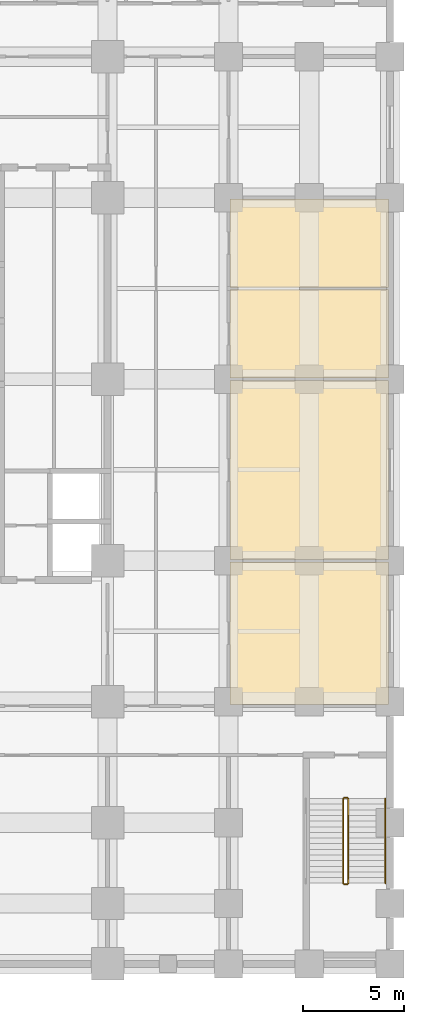
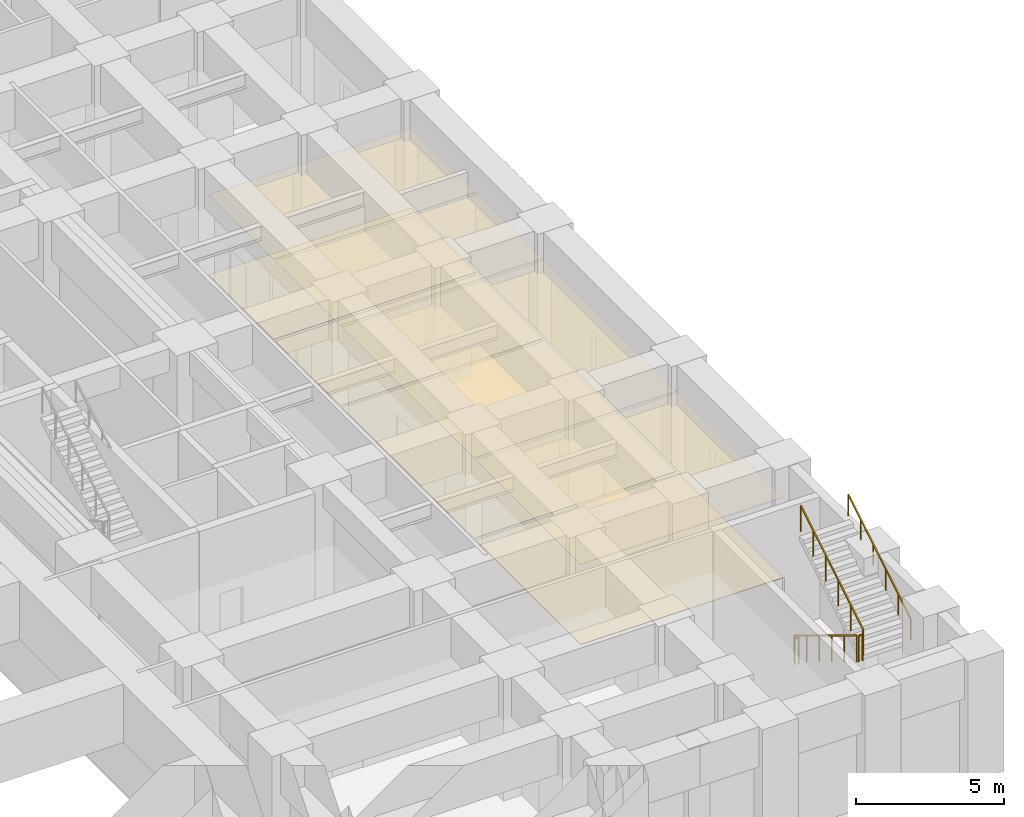
# One storey, part 23 of 24: 8 coverings, 5 railings.
"""IFC4 building model written with IfcOpenShell, lengths in metres."""

from ifc_helpers import new_model, si_unit, direction, frame, origin, origin_2d, place, context, subcontext, project, spatial, polyline, rectangle, outline, extrude, material, layer, layer_set, type_object, element, save


model = new_model("IFC4")

# Units and contexts
model_context = context("Model", 3, precision=1e-05, world=origin(), true_north=direction((0.0, 1.0)))
body_context = subcontext(model_context, "Body", "Model", "MODEL_VIEW")
ifc_project = project(units=[si_unit("LENGTHUNIT", "METRE"), si_unit("AREAUNIT", "SQUARE_METRE"), si_unit("VOLUMEUNIT", "CUBIC_METRE"), si_unit("PLANEANGLEUNIT", "RADIAN"), si_unit("MASSUNIT", "GRAM", prefix="KILO")], contexts=[model_context])

# Site, building, storey
site_placement = place(None, origin())
site = spatial("IfcSite", under=ifc_project, at=site_placement, CompositionType="ELEMENT")
building_placement = place(site_placement, origin())
building = spatial("IfcBuilding", under=site, at=building_placement, Name="Zulmaris Gate Convention Tower", CompositionType="ELEMENT")
storey_placement = place(building_placement, frame((0.0, 0.0, 16.320068359375)))
storey = spatial("IfcBuildingStorey", under=building, at=storey_placement, Name="L03", CompositionType="ELEMENT", Elevation=16.320068359375)

# Coverings
ifc_material_1 = material(Name="Mineral Fibre Acoustic Ceiling Tile")
ifc_layer_1 = layer(ifc_material_1, 0.02001953125, Name="Mineral Fibre Acoustic Ceiling Tile")
ifc_layer_set_1 = layer_set([ifc_layer_1], Name="Mineral Fibre Acoustic Ceiling Tile")
covering_type_1 = type_object("IfcCoveringType", Name="CLG-ACOUSTIC-600", PredefinedType="CEILING", material=ifc_layer_set_1)
covering_1_placement = place(storey_placement, frame((0.0, 0.0, 3.300048828125)))
element("IfcCovering", 1, at=covering_1_placement, inside=storey, type_object=covering_type_1, Name="CLG-L03-R76", PredefinedType="CEILING", context=body_context, shape_type="SweptSolid", body=[
    extrude(outline(polyline([(26.06005859375, -16.139892578125), (33.93994140625, -16.139892578125), (33.93994140625, -9.06005859375), (26.06005859375, -9.06005859375), (26.06005859375, -16.139892578125)])), origin(), (0.0, 0.0, 1.0), 0.019775390625),
])
covering_2_placement = place(storey_placement, frame((0.0, 0.0, 3.300048828125)))
element("IfcCovering", 2, at=covering_2_placement, inside=storey, type_object=covering_type_1, Name="CLG-L03-R77", PredefinedType="CEILING", context=body_context, shape_type="SweptSolid", body=[
    extrude(outline(polyline([(26.06005859375, -8.93994140625), (33.93994140625, -8.93994140625), (33.93994140625, -0.06005859375), (26.06005859375, -0.06005859375), (26.06005859375, -8.93994140625)])), origin(), (0.0, 0.0, 1.0), 0.019775390625),
])
covering_3_placement = place(storey_placement, frame((0.0, 0.0, 3.300048828125)))
element("IfcCovering", 3, at=covering_3_placement, inside=storey, type_object=covering_type_1, Name="CLG-L03-R78", PredefinedType="CEILING", context=body_context, shape_type="SweptSolid", body=[
    extrude(outline(polyline([(26.06005859375, 0.06005859375), (33.93994140625, 0.06005859375), (33.93994140625, 4.43994140625), (26.06005859375, 4.43994140625), (26.06005859375, 0.06005859375)])), origin(), (0.0, 0.0, 1.0), 0.019775390625),
])
covering_4_placement = place(storey_placement, frame((0.0, 0.0, 3.300048828125)))
element("IfcCovering", 4, at=covering_4_placement, inside=storey, type_object=covering_type_1, Name="CLG-L03-R79", PredefinedType="CEILING", context=body_context, shape_type="SweptSolid", body=[
    extrude(outline(polyline([(26.06005859375, 4.56005859375), (33.93994140625, 4.56005859375), (33.93994140625, 8.93994140625), (26.06005859375, 8.93994140625), (26.06005859375, 4.56005859375)])), origin(), (0.0, 0.0, 1.0), 0.019775390625),
])
ifc_material_2 = material(Name="Engineered Teak Parquet Flooring")
ifc_layer_2 = layer(ifc_material_2, 0.02001953125, Name="Engineered Teak Parquet Flooring")
ifc_layer_set_2 = layer_set([ifc_layer_2], Name="Engineered Teak Parquet Flooring")
covering_type_2 = type_object("IfcCoveringType", Name="FLR-TIMBER-18", PredefinedType="FLOORING", material=ifc_layer_set_2)
covering_5_placement = place(storey_placement, origin())
element("IfcCovering", 5, at=covering_5_placement, inside=storey, type_object=covering_type_2, Name="FLR-L03-R76", PredefinedType="FLOORING", context=body_context, shape_type="SweptSolid", body=[
    extrude(outline(polyline([(26.06005859375, -16.139892578125), (33.93994140625, -16.139892578125), (33.93994140625, -9.06005859375), (26.06005859375, -9.06005859375), (26.06005859375, -16.139892578125)])), origin(), (0.0, 0.0, 1.0), 0.02001953125),
])
covering_6_placement = place(storey_placement, origin())
element("IfcCovering", 6, at=covering_6_placement, inside=storey, type_object=covering_type_2, Name="FLR-L03-R77", PredefinedType="FLOORING", context=body_context, shape_type="SweptSolid", body=[
    extrude(outline(polyline([(26.06005859375, -8.93994140625), (33.93994140625, -8.93994140625), (33.93994140625, -0.06005859375), (26.06005859375, -0.06005859375), (26.06005859375, -8.93994140625)])), origin(), (0.0, 0.0, 1.0), 0.02001953125),
])
covering_7_placement = place(storey_placement, origin())
element("IfcCovering", 7, at=covering_7_placement, inside=storey, type_object=covering_type_2, Name="FLR-L03-R78", PredefinedType="FLOORING", context=body_context, shape_type="SweptSolid", body=[
    extrude(outline(polyline([(26.06005859375, 0.06005859375), (33.93994140625, 0.06005859375), (33.93994140625, 4.43994140625), (26.06005859375, 4.43994140625), (26.06005859375, 0.06005859375)])), origin(), (0.0, 0.0, 1.0), 0.02001953125),
])
covering_8_placement = place(storey_placement, origin())
element("IfcCovering", 8, at=covering_8_placement, inside=storey, type_object=covering_type_2, Name="FLR-L03-R79", PredefinedType="FLOORING", context=body_context, shape_type="SweptSolid", body=[
    extrude(outline(polyline([(26.06005859375, 4.56005859375), (33.93994140625, 4.56005859375), (33.93994140625, 8.93994140625), (26.06005859375, 8.93994140625), (26.06005859375, 4.56005859375)])), origin(), (0.0, 0.0, 1.0), 0.02001953125),
])

# Railings
ifc_material_3 = material(Name="Painted Galvanised Steel", Category="steel")
railing_type_1 = type_object("IfcRailingType", Name="RL-STG-1150", PredefinedType="GUARDRAIL", material=ifc_material_3)
railing_1_placement = place(storey_placement, frame((31.679931640625, -20.800048828125, 0.169921875)))
element("IfcRailing", 9, at=railing_1_placement, inside=storey, type_object=railing_type_1, Name="L03 ST-6 stair guard 1", PredefinedType="GUARDRAIL", context=body_context, shape_type="SweptSolid", body=[
    extrude(rectangle(XDim=0.048095703125, YDim=0.048095703125, at=origin_2d()), frame((0.0, 0.0, 1.076171875), z_axis=(0.0, -0.854780430106, 0.518989803665), x_axis=(1.0, 0.0, 0.0)), (0.0, 0.0, 1.0), 4.91357421875),
    extrude(rectangle(XDim=0.0419921875, YDim=0.0419921875, at=origin_2d()), origin(), (0.0, 0.0, 1.0), 1.052001953125),
    extrude(rectangle(XDim=0.0419921875, YDim=0.0419921875, at=origin_2d()), frame((0.0, -0.840087890625, 0.510009765625)), (0.0, 0.0, 1.0), 1.052001953125),
    extrude(rectangle(XDim=0.0419921875, YDim=0.0419921875, at=origin_2d()), frame((0.0, -1.679931640625, 1.02001953125)), (0.0, 0.0, 1.0), 1.052001953125),
    extrude(rectangle(XDim=0.0419921875, YDim=0.0419921875, at=origin_2d()), frame((0.0, -2.52001953125, 1.530029296875)), (0.0, 0.0, 1.0), 1.052001953125),
    extrude(rectangle(XDim=0.0419921875, YDim=0.0419921875, at=origin_2d()), frame((0.0, -3.35986328125, 2.0400390625)), (0.0, 0.0, 1.0), 1.052001953125),
    extrude(rectangle(XDim=0.0419921875, YDim=0.0419921875, at=origin_2d()), frame((0.0, -4.199951171875, 2.550048828125)), (0.0, 0.0, 1.0), 1.052001953125),
])
railing_2_placement = place(storey_placement, frame((31.72998046875, -25.050048828125, 2.719970703125)))
element("IfcRailing", 10, at=railing_2_placement, inside=storey, type_object=railing_type_1, Name="L03 ST-6 stair guard 2", PredefinedType="GUARDRAIL", context=body_context, shape_type="SweptSolid", body=[
    extrude(rectangle(XDim=0.048095703125, YDim=0.048095703125, at=origin_2d()), frame((0.0, 0.0, 1.076171875), z_axis=(1.0, 0.0, 0.0), x_axis=(0.0, 1.0, 0.0)), (0.0, 0.0, 1.0), 0.14990234375),
    extrude(rectangle(XDim=0.0419921875, YDim=0.0419921875, at=origin_2d()), origin(), (0.0, 0.0, 1.0), 1.052001953125),
    extrude(rectangle(XDim=0.0419921875, YDim=0.0419921875, at=origin_2d()), frame((0.14990234375, 0.0, 0.0)), (0.0, 0.0, 1.0), 1.052001953125),
])
railing_3_placement = place(storey_placement, frame((31.929931640625, -25.0, 2.889892578125)))
element("IfcRailing", 11, at=railing_3_placement, inside=storey, type_object=railing_type_1, Name="L03 ST-6 stair guard 3", PredefinedType="GUARDRAIL", context=body_context, shape_type="SweptSolid", body=[
    extrude(rectangle(XDim=0.048095703125, YDim=0.048095703125, at=origin_2d()), frame((0.0, 0.0, 1.076171875), z_axis=(0.0, 0.854780430106, 0.518989803665), x_axis=(-1.0, 0.0, 0.0)), (0.0, 0.0, 1.0), 4.91357421875),
    extrude(rectangle(XDim=0.0419921875, YDim=0.0419921875, at=origin_2d()), origin(), (0.0, 0.0, 1.0), 1.052001953125),
    extrude(rectangle(XDim=0.0419921875, YDim=0.0419921875, at=origin_2d()), frame((0.0, 0.840087890625, 0.510009765625)), (0.0, 0.0, 1.0), 1.052001953125),
    extrude(rectangle(XDim=0.0419921875, YDim=0.0419921875, at=origin_2d()), frame((0.0, 1.679931640625, 1.02001953125)), (0.0, 0.0, 1.0), 1.052001953125),
    extrude(rectangle(XDim=0.0419921875, YDim=0.0419921875, at=origin_2d()), frame((0.0, 2.52001953125, 1.530029296875)), (0.0, 0.0, 1.0), 1.052001953125),
    extrude(rectangle(XDim=0.0419921875, YDim=0.0419921875, at=origin_2d()), frame((0.0, 3.35986328125, 2.0400390625)), (0.0, 0.0, 1.0), 1.052001953125),
    extrude(rectangle(XDim=0.0419921875, YDim=0.0419921875, at=origin_2d()), frame((0.0, 4.199951171875, 2.550048828125)), (0.0, 0.0, 1.0), 1.052001953125),
])
railing_4_placement = place(storey_placement, frame((31.72998046875, -20.75, 0.0)))
element("IfcRailing", 12, at=railing_4_placement, inside=storey, type_object=railing_type_1, Name="L03 ST-6 stair guard 4", PredefinedType="GUARDRAIL", context=body_context, shape_type="SweptSolid", body=[
    extrude(rectangle(XDim=0.048095703125, YDim=0.048095703125, at=origin_2d()), frame((0.0, 0.0, 1.076171875), z_axis=(1.0, 0.0, 0.0), x_axis=(0.0, 1.0, 0.0)), (0.0, 0.0, 1.0), 0.14990234375),
    extrude(rectangle(XDim=0.0419921875, YDim=0.0419921875, at=origin_2d()), origin(), (0.0, 0.0, 1.0), 1.052001953125),
    extrude(rectangle(XDim=0.0419921875, YDim=0.0419921875, at=origin_2d()), frame((0.14990234375, 0.0, 0.0)), (0.0, 0.0, 1.0), 1.052001953125),
])
ifc_material_4 = material(Name="Brushed Stainless Steel", Category="steel")
railing_type_2 = type_object("IfcRailingType", Name="RL-STH-900", PredefinedType="HANDRAIL", material=ifc_material_4)
railing_5_placement = place(storey_placement, frame((33.780029296875, -25.0, 2.889892578125)))
element("IfcRailing", 13, at=railing_5_placement, inside=storey, type_object=railing_type_2, Name="L03 ST-6 stair handrail 2", PredefinedType="HANDRAIL", context=body_context, shape_type="SweptSolid", body=[
    extrude(rectangle(XDim=0.048095703125, YDim=0.048095703125, at=origin_2d()), frame((0.0, 0.0, 0.8759765625), z_axis=(0.0, 0.854780430106, 0.518989803665), x_axis=(-1.0, 0.0, 0.0)), (0.0, 0.0, 1.0), 4.91357421875),
    extrude(rectangle(XDim=0.0419921875, YDim=0.0419921875, at=origin_2d()), origin(), (0.0, 0.0, 1.0), 0.851806640625),
    extrude(rectangle(XDim=0.0419921875, YDim=0.0419921875, at=origin_2d()), frame((0.0, 0.840087890625, 0.510009765625)), (0.0, 0.0, 1.0), 0.851806640625),
    extrude(rectangle(XDim=0.0419921875, YDim=0.0419921875, at=origin_2d()), frame((0.0, 1.679931640625, 1.02001953125)), (0.0, 0.0, 1.0), 0.851806640625),
    extrude(rectangle(XDim=0.0419921875, YDim=0.0419921875, at=origin_2d()), frame((0.0, 2.52001953125, 1.530029296875)), (0.0, 0.0, 1.0), 0.851806640625),
    extrude(rectangle(XDim=0.0419921875, YDim=0.0419921875, at=origin_2d()), frame((0.0, 3.35986328125, 2.0400390625)), (0.0, 0.0, 1.0), 0.851806640625),
    extrude(rectangle(XDim=0.0419921875, YDim=0.0419921875, at=origin_2d()), frame((0.0, 4.199951171875, 2.550048828125)), (0.0, 0.0, 1.0), 0.851806640625),
])

save(model, "model.ifc")
